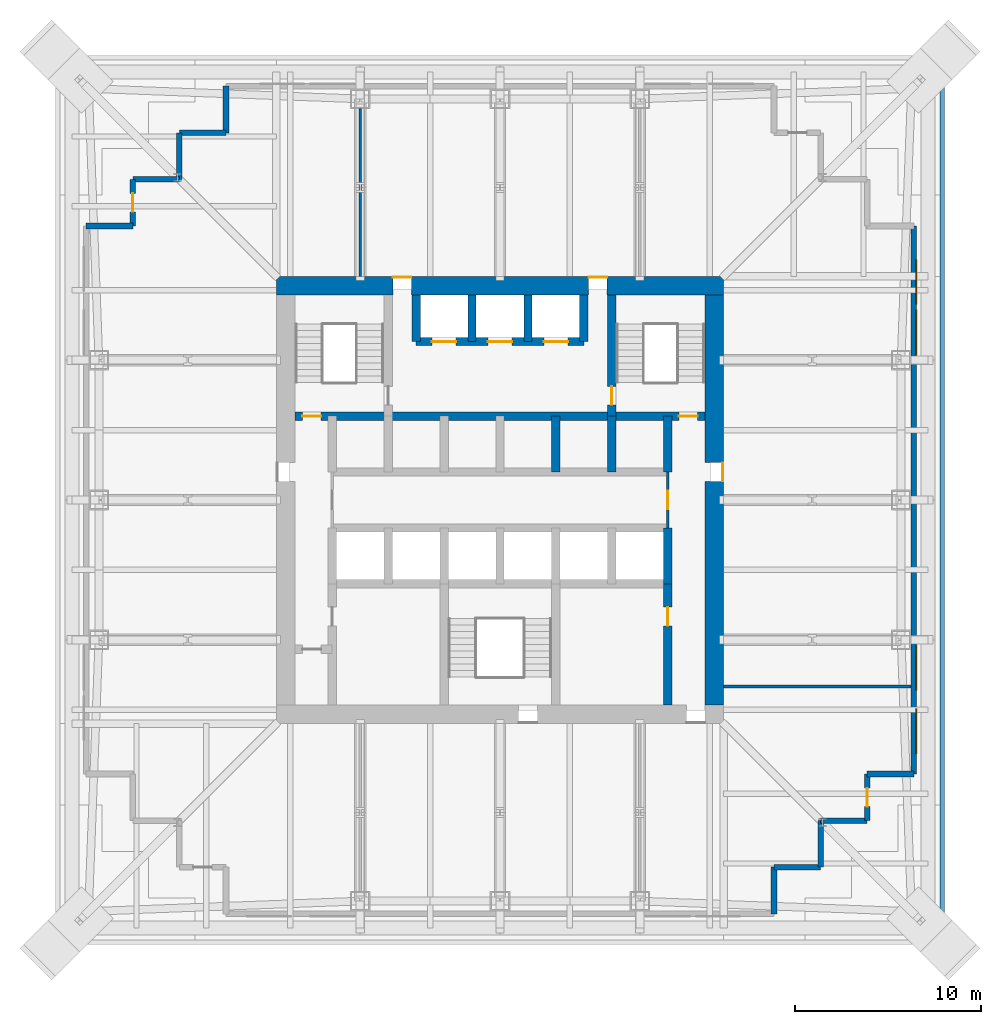
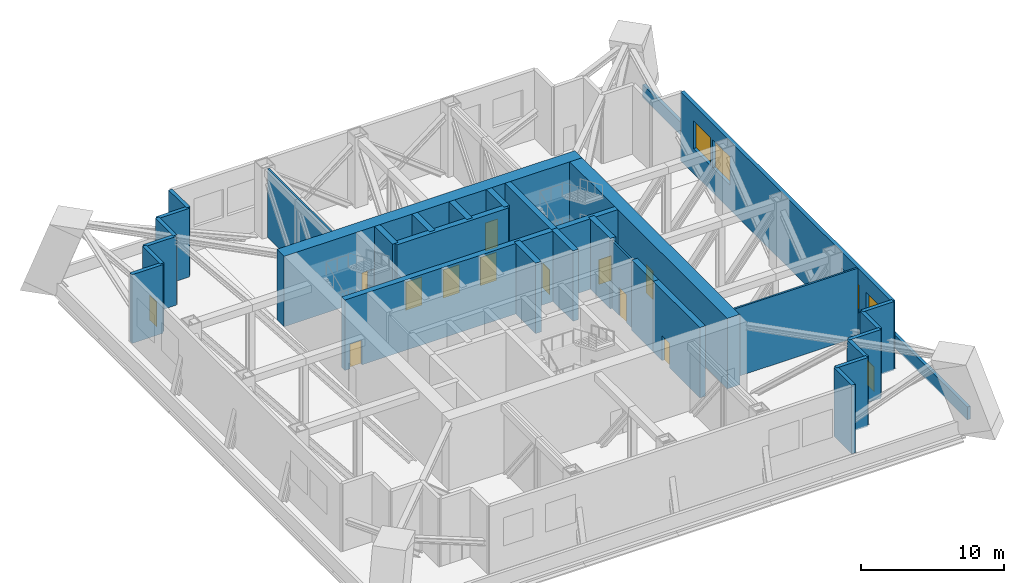
# One storey, part 6 of 8: 31 walls, 13 doors, 4 windows, 17 openings.
"""IFC4 building model written with IfcOpenShell, lengths in metres."""

from ifc_helpers import new_model, si_unit, direction, frame, frame_2d, origin, place, context, subcontext, project, spatial, rectangle, extrude, material, layer, layer_set, type_object, element, fill, save


model = new_model("IFC4")

# Units and contexts
model_context = context("Model", 3, precision=1e-05, world=origin(), true_north=direction((0.0, 1.0)))
body_context = subcontext(model_context, "Body", "Model", "MODEL_VIEW")
ifc_project = project(units=[si_unit("LENGTHUNIT", "METRE"), si_unit("AREAUNIT", "SQUARE_METRE"), si_unit("VOLUMEUNIT", "CUBIC_METRE"), si_unit("PLANEANGLEUNIT", "RADIAN"), si_unit("MASSUNIT", "GRAM", prefix="KILO")], contexts=[model_context])

# Site, building, storey
site_placement = place(None, origin())
site = spatial("IfcSite", under=ifc_project, at=site_placement, CompositionType="ELEMENT")
building_placement = place(site_placement, origin())
building = spatial("IfcBuilding", under=site, at=building_placement, Name="Tarangal Relay Tower", CompositionType="ELEMENT")
storey_placement = place(building_placement, frame((0.0, 0.0, 171.89990234375)))
storey = spatial("IfcBuildingStorey", under=building, at=storey_placement, Name="L35", CompositionType="ELEMENT", Elevation=171.89990234375)

# Wall, openings, doors
ifc_material_1 = material(Name="Concrete fc' 60 MPa", Category="concrete")
ifc_layer_1 = layer(ifc_material_1, 0.449951171875)
ifc_layer_set_1 = layer_set([ifc_layer_1], Name="Core inner wall 450")
wall_type_1 = type_object("IfcWallType", Name="Core inner wall 450", PredefinedType="SHEAR", material=ifc_layer_set_1)
wall_1_placement = place(storey_placement, frame((-11.0, 4.5, 0.0), z_axis=(0.0, 0.0, 1.0), x_axis=(1.0, 0.0, 0.0)))
wall_1 = element("IfcWall", 1, at=wall_1_placement, inside=storey, type_object=wall_type_1, Name="Core wall Y45 L35", PredefinedType="SHEAR", context=body_context, shape_type="SweptSolid", body=[
    extrude(rectangle(XDim=22.0, YDim=0.449951171875, at=frame_2d((11.0, 0.0))), origin(), (0.0, 0.0, 1.0), 6.0),
])
opening_1_placement = place(wall_1_placement, frame((0.39990234375, 0.0, 0.0)))
opening_1 = element("IfcOpeningElement", 2, at=opening_1_placement, cuts=wall_1, Name="Opening FD1", PredefinedType="OPENING", context=body_context, shape_type="SweptSolid", body=[
    extrude(rectangle(XDim=1.0, YDim=2.10009765625, at=frame_2d((0.5, 1.050048828125))), frame((0.0, 0.23486328125, 0.0), z_axis=(0.0, -1.0, 0.0), x_axis=(1.0, 0.0, 0.0)), (0.0, 0.0, 1.0), 0.469970703125),
])
opening_2_placement = place(wall_1_placement, frame((20.60009765625, 0.0, 0.0)))
opening_2 = element("IfcOpeningElement", 3, at=opening_2_placement, cuts=wall_1, Name="Opening FD1", PredefinedType="OPENING", context=body_context, shape_type="SweptSolid", body=[
    extrude(rectangle(XDim=1.0, YDim=2.10009765625, at=frame_2d((0.5, 1.050048828125))), frame((0.0, 0.23486328125, 0.0), z_axis=(0.0, -1.0, 0.0), x_axis=(1.0, 0.0, 0.0)), (0.0, 0.0, 1.0), 0.469970703125),
])
ifc_material_2 = material(Name="Steel door with hardwood frame", Category="steel")
door_type_1 = type_object("IfcDoorType", Name="Fire door 1000 x 2100", OperationType="SINGLE_SWING_LEFT", PredefinedType="DOOR", material=ifc_material_2)
door_1_placement = place(opening_1_placement, origin())
door_1 = element("IfcDoor", 4, at=door_1_placement, inside=storey, type_object=door_type_1, Name="Stair ST-A door from corridor L35", OperationType="SINGLE_SWING_LEFT", OverallHeight=2.10009765625, OverallWidth=1.0, PredefinedType="DOOR", context=body_context, shape_type="SweptSolid", body=[
    extrude(rectangle(XDim=1.0, YDim=2.10009765625, at=frame_2d((0.5, 1.050048828125))), frame((0.0, 0.02490234375, 0.0), z_axis=(0.0, -1.0, 0.0), x_axis=(1.0, 0.0, 0.0)), (0.0, 0.0, 1.0), 0.050048828125),
])
fill(opening_1, door_1)
door_2_placement = place(opening_2_placement, origin())
door_2 = element("IfcDoor", 5, at=door_2_placement, inside=storey, type_object=door_type_1, Name="Stair ST-B door from corridor L35", OperationType="SINGLE_SWING_LEFT", OverallHeight=2.10009765625, OverallWidth=1.0, PredefinedType="DOOR", context=body_context, shape_type="SweptSolid", body=[
    extrude(rectangle(XDim=1.0, YDim=2.10009765625, at=frame_2d((0.5, 1.050048828125))), frame((0.0, 0.02490234375, 0.0), z_axis=(0.0, -1.0, 0.0), x_axis=(1.0, 0.0, 0.0)), (0.0, 0.0, 1.0), 0.050048828125),
])
fill(opening_2, door_2)

wall_2_placement = place(storey_placement, frame((-4.5, 8.5, 0.0), z_axis=(0.0, 0.0, 1.0), x_axis=(1.0, 0.0, 0.0)))
wall_2 = element("IfcWall", 6, at=wall_2_placement, inside=storey, type_object=wall_type_1, Name="Core wall Y85 L35", PredefinedType="SHEAR", context=body_context, shape_type="SweptSolid", body=[
    extrude(rectangle(XDim=9.0, YDim=0.449951171875, at=frame_2d((4.5, 0.0))), origin(), (0.0, 0.0, 1.0), 6.0),
])
opening_3_placement = place(wall_2_placement, frame((0.85009765625, 0.0, 0.0)))
opening_3 = element("IfcOpeningElement", 7, at=opening_3_placement, cuts=wall_2, Name="Opening LD2", PredefinedType="OPENING", context=body_context, shape_type="SweptSolid", body=[
    extrude(rectangle(XDim=1.300048828125, YDim=2.39990234375, at=frame_2d((0.64990234375, 1.199951171875))), frame((0.0, 0.23486328125, 0.0), z_axis=(0.0, -1.0, 0.0), x_axis=(1.0, 0.0, 0.0)), (0.0, 0.0, 1.0), 0.469970703125),
])
opening_4_placement = place(wall_2_placement, frame((6.85009765625, 0.0, 0.0)))
opening_4 = element("IfcOpeningElement", 8, at=opening_4_placement, cuts=wall_2, Name="Opening LD2", PredefinedType="OPENING", context=body_context, shape_type="SweptSolid", body=[
    extrude(rectangle(XDim=1.300048828125, YDim=2.39990234375, at=frame_2d((0.64990234375, 1.199951171875))), frame((0.0, 0.23486328125, 0.0), z_axis=(0.0, -1.0, 0.0), x_axis=(1.0, 0.0, 0.0)), (0.0, 0.0, 1.0), 0.469970703125),
])
opening_5_placement = place(wall_2_placement, frame((3.85009765625, 0.0, 0.0)))
opening_5 = element("IfcOpeningElement", 9, at=opening_5_placement, cuts=wall_2, Name="Opening LD2", PredefinedType="OPENING", context=body_context, shape_type="SweptSolid", body=[
    extrude(rectangle(XDim=1.300048828125, YDim=2.39990234375, at=frame_2d((0.64990234375, 1.199951171875))), frame((0.0, 0.23486328125, 0.0), z_axis=(0.0, -1.0, 0.0), x_axis=(1.0, 0.0, 0.0)), (0.0, 0.0, 1.0), 0.469970703125),
])
door_type_2 = type_object("IfcDoorType", Name="Lift landing door 1300 x 2400", OperationType="SLIDING_TO_LEFT", PredefinedType="DOOR", material=ifc_material_2)
door_3_placement = place(opening_3_placement, origin())
door_3 = element("IfcDoor", 10, at=door_3_placement, inside=storey, type_object=door_type_2, Name="Lift FF1 landing door L35", OperationType="SLIDING_TO_LEFT", OverallHeight=2.39990234375, OverallWidth=1.300048828125, PredefinedType="DOOR", context=body_context, shape_type="SweptSolid", body=[
    extrude(rectangle(XDim=1.300048828125, YDim=2.39990234375, at=frame_2d((0.64990234375, 1.199951171875))), frame((0.0, 0.02490234375, 0.0), z_axis=(0.0, -1.0, 0.0), x_axis=(1.0, 0.0, 0.0)), (0.0, 0.0, 1.0), 0.050048828125),
])
fill(opening_3, door_3)
door_4_placement = place(opening_4_placement, origin())
door_4 = element("IfcDoor", 11, at=door_4_placement, inside=storey, type_object=door_type_2, Name="Lift FF2 landing door L35", OperationType="SLIDING_TO_LEFT", OverallHeight=2.39990234375, OverallWidth=1.300048828125, PredefinedType="DOOR", context=body_context, shape_type="SweptSolid", body=[
    extrude(rectangle(XDim=1.300048828125, YDim=2.39990234375, at=frame_2d((0.64990234375, 1.199951171875))), frame((0.0, 0.02490234375, 0.0), z_axis=(0.0, -1.0, 0.0), x_axis=(1.0, 0.0, 0.0)), (0.0, 0.0, 1.0), 0.050048828125),
])
fill(opening_4, door_4)
door_5_placement = place(opening_5_placement, origin())
door_5 = element("IfcDoor", 12, at=door_5_placement, inside=storey, type_object=door_type_2, Name="Lift SV1 landing door L35", OperationType="SLIDING_TO_LEFT", OverallHeight=2.39990234375, OverallWidth=1.300048828125, PredefinedType="DOOR", context=body_context, shape_type="SweptSolid", body=[
    extrude(rectangle(XDim=1.300048828125, YDim=2.39990234375, at=frame_2d((0.64990234375, 1.199951171875))), frame((0.0, 0.02490234375, 0.0), z_axis=(0.0, -1.0, 0.0), x_axis=(1.0, 0.0, 0.0)), (0.0, 0.0, 1.0), 0.050048828125),
])
fill(opening_5, door_5)

# Walls
for number, where, z_axis, x_axis, name in (
    (13, (9.0, 1.5, 0.0), (0.0, 0.0, 1.0), (0.0, 1.0, 0.0), "Core wall X9N L35"),
    (14, (9.0, -4.5, 0.0), (0.0, 0.0, 1.0), (0.0, 1.0, 0.0), "Core wall X9S L35"),
    (15, (3.0, 1.5, 0.0), (0.0, 0.0, 1.0), (0.0, 1.0, 0.0), "Core wall X3N L35"),
    (16, (6.0, 1.5, 0.0), (0.0, 0.0, 1.0), (0.0, 1.0, 0.0), "Core wall X6N L35"),
):
    element("IfcWall", number, at=place(storey_placement, frame(where, z_axis=z_axis, x_axis=x_axis)), inside=storey, type_object=wall_type_1, Name=name, PredefinedType="SHEAR", context=body_context, shape_type="SweptSolid", body=[
        extrude(rectangle(XDim=3.0, YDim=0.449951171875, at=frame_2d((1.5, 0.0))), origin(), (0.0, 0.0, 1.0), 6.0),
    ])

# Wall, opening, door
wall_3_placement = place(storey_placement, frame((6.0, 4.5, 0.0), z_axis=(0.0, 0.0, 1.0), x_axis=(0.0, 1.0, 0.0)))
wall_3 = element("IfcWall", 17, at=wall_3_placement, inside=storey, type_object=wall_type_1, Name="Core wall X6 L35", PredefinedType="SHEAR", context=body_context, shape_type="SweptSolid", body=[
    extrude(rectangle(XDim=6.5, YDim=0.449951171875, at=frame_2d((3.25, 0.0))), origin(), (0.0, 0.0, 1.0), 6.0),
])
opening_6_placement = place(wall_3_placement, frame((0.60009765625, 0.0, 0.0)))
opening_6 = element("IfcOpeningElement", 18, at=opening_6_placement, cuts=wall_3, Name="Opening FD1", PredefinedType="OPENING", context=body_context, shape_type="SweptSolid", body=[
    extrude(rectangle(XDim=1.0, YDim=2.10009765625, at=frame_2d((0.5, 1.050048828125))), frame((0.0, 0.23486328125, 0.0), z_axis=(0.0, -1.0, 0.0), x_axis=(1.0, 0.0, 0.0)), (0.0, 0.0, 1.0), 0.469970703125),
])
door_6_placement = place(opening_6_placement, origin())
door_6 = element("IfcDoor", 19, at=door_6_placement, inside=storey, type_object=door_type_1, Name="Stair ST-B door from fire-fighting lobby L35", OperationType="SINGLE_SWING_LEFT", OverallHeight=2.10009765625, OverallWidth=1.0, PredefinedType="DOOR", context=body_context, shape_type="SweptSolid", body=[
    extrude(rectangle(XDim=1.0, YDim=2.10009765625, at=frame_2d((0.5, 1.050048828125))), frame((0.0, 0.02490234375, 0.0), z_axis=(0.0, -1.0, 0.0), x_axis=(1.0, 0.0, 0.0)), (0.0, 0.0, 1.0), 0.050048828125),
])
fill(opening_6, door_6)

# Walls
for number, where, z_axis, x_axis, name in (
    (20, (-4.5, 8.5, 0.0), (0.0, 0.0, 1.0), (0.0, 1.0, 0.0), "Core wall XM45 L35"),
    (21, (4.5, 8.5, 0.0), (0.0, 0.0, 1.0), (0.0, 1.0, 0.0), "Core wall X45 L35"),
    (22, (-1.5, 8.5, 0.0), (0.0, 0.0, 1.0), (0.0, 1.0, 0.0), "Core wall XM15 L35"),
    (23, (1.5, 8.5, 0.0), (0.0, 0.0, 1.0), (0.0, 1.0, 0.0), "Core wall X15 L35"),
):
    element("IfcWall", number, at=place(storey_placement, frame(where, z_axis=z_axis, x_axis=x_axis)), inside=storey, type_object=wall_type_1, Name=name, PredefinedType="SHEAR", context=body_context, shape_type="SweptSolid", body=[
        extrude(rectangle(XDim=2.5, YDim=0.449951171875, at=frame_2d((1.25, 0.0))), origin(), (0.0, 0.0, 1.0), 6.0),
    ])

# Wall, opening, door
wall_4_placement = place(storey_placement, frame((9.0, -11.0, 0.0), z_axis=(0.0, 0.0, 1.0), x_axis=(0.0, 1.0, 0.0)))
wall_4 = element("IfcWall", 24, at=wall_4_placement, inside=storey, type_object=wall_type_1, Name="Core wall X9W L35", PredefinedType="SHEAR", context=body_context, shape_type="SweptSolid", body=[
    extrude(rectangle(XDim=6.5, YDim=0.449951171875, at=frame_2d((3.25, 0.0))), origin(), (0.0, 0.0, 1.0), 6.0),
])
opening_7_placement = place(wall_4_placement, frame((4.25, 0.0, 0.0)))
opening_7 = element("IfcOpeningElement", 25, at=opening_7_placement, cuts=wall_4, Name="Opening D1", PredefinedType="OPENING", context=body_context, shape_type="SweptSolid", body=[
    extrude(rectangle(XDim=1.0, YDim=2.10009765625, at=frame_2d((0.5, 1.050048828125))), frame((0.0, 0.23486328125, 0.0), z_axis=(0.0, -1.0, 0.0), x_axis=(1.0, 0.0, 0.0)), (0.0, 0.0, 1.0), 0.469970703125),
])
ifc_material_3 = material(Name="Hardwood door", Category="wood")
door_type_3 = type_object("IfcDoorType", Name="WC door 1000 x 2100", OperationType="SINGLE_SWING_LEFT", PredefinedType="DOOR", material=ifc_material_3)
door_7_placement = place(opening_7_placement, origin())
door_7 = element("IfcDoor", 26, at=door_7_placement, inside=storey, type_object=door_type_3, Name="Female WC door L35", OperationType="SINGLE_SWING_LEFT", OverallHeight=2.10009765625, OverallWidth=1.0, PredefinedType="DOOR", context=body_context, shape_type="SweptSolid", body=[
    extrude(rectangle(XDim=1.0, YDim=2.10009765625, at=frame_2d((0.5, 1.050048828125))), frame((0.0, 0.02490234375, 0.0), z_axis=(0.0, -1.0, 0.0), x_axis=(1.0, 0.0, 0.0)), (0.0, 0.0, 1.0), 0.050048828125),
])
fill(opening_7, door_7)

# Wall, openings, doors
ifc_layer_2 = layer(ifc_material_1, 1.0)
ifc_layer_set_2 = layer_set([ifc_layer_2], Name="Core wall 1000")
wall_type_2 = type_object("IfcWallType", Name="Core wall 1000", PredefinedType="SHEAR", material=ifc_layer_set_2)
wall_5_placement = place(storey_placement, frame((-12.0, 11.5, 0.0), z_axis=(0.0, 0.0, 1.0), x_axis=(1.0, 0.0, 0.0)))
wall_5 = element("IfcWall", 27, at=wall_5_placement, inside=storey, type_object=wall_type_2, Name="Core wall N L35", PredefinedType="SHEAR", context=body_context, shape_type="SweptSolid", body=[
    extrude(rectangle(XDim=24.0, YDim=1.0, at=frame_2d((12.0, 0.0))), origin(), (0.0, 0.0, 1.0), 6.0),
])
opening_8_placement = place(wall_5_placement, frame((6.25, 0.0, 0.0)))
opening_8 = element("IfcOpeningElement", 28, at=opening_8_placement, cuts=wall_5, Name="Opening FD3", PredefinedType="OPENING", context=body_context, shape_type="SweptSolid", body=[
    extrude(rectangle(XDim=1.0, YDim=2.39990234375, at=frame_2d((0.5, 1.199951171875))), frame((0.0, 0.510009765625, 0.0), z_axis=(0.0, -1.0, 0.0), x_axis=(1.0, 0.0, 0.0)), (0.0, 0.0, 1.0), 1.02001953125),
])
opening_9_placement = place(wall_5_placement, frame((16.75, 0.0, 0.0)))
opening_9 = element("IfcOpeningElement", 29, at=opening_9_placement, cuts=wall_5, Name="Opening FD3", PredefinedType="OPENING", context=body_context, shape_type="SweptSolid", body=[
    extrude(rectangle(XDim=1.0, YDim=2.39990234375, at=frame_2d((0.5, 1.199951171875))), frame((0.0, 0.510009765625, 0.0), z_axis=(0.0, -1.0, 0.0), x_axis=(1.0, 0.0, 0.0)), (0.0, 0.0, 1.0), 1.02001953125),
])
door_type_4 = type_object("IfcDoorType", Name="Fire door 1000 x 2400 core entry", OperationType="SINGLE_SWING_RIGHT", PredefinedType="DOOR", material=ifc_material_2)
door_8_placement = place(opening_8_placement, origin())
door_8 = element("IfcDoor", 30, at=door_8_placement, inside=storey, type_object=door_type_4, Name="Core entry door north west L35", OperationType="SINGLE_SWING_RIGHT", OverallHeight=2.39990234375, OverallWidth=1.0, PredefinedType="DOOR", context=body_context, shape_type="SweptSolid", body=[
    extrude(rectangle(XDim=1.0, YDim=2.39990234375, at=frame_2d((0.5, 1.199951171875))), frame((0.0, 0.48486328125, 0.0), z_axis=(0.0, -1.0, 0.0), x_axis=(1.0, 0.0, 0.0)), (0.0, 0.0, 1.0), 0.050048828125),
])
fill(opening_8, door_8)
door_9_placement = place(opening_9_placement, origin())
door_9 = element("IfcDoor", 31, at=door_9_placement, inside=storey, type_object=door_type_4, Name="Core entry door north east L35", OperationType="SINGLE_SWING_RIGHT", OverallHeight=2.39990234375, OverallWidth=1.0, PredefinedType="DOOR", context=body_context, shape_type="SweptSolid", body=[
    extrude(rectangle(XDim=1.0, YDim=2.39990234375, at=frame_2d((0.5, 1.199951171875))), frame((0.0, 0.48486328125, 0.0), z_axis=(0.0, -1.0, 0.0), x_axis=(1.0, 0.0, 0.0)), (0.0, 0.0, 1.0), 0.050048828125),
])
fill(opening_9, door_9)

# Wall, opening, door
wall_6_placement = place(storey_placement, frame((11.5, 11.0, 0.0), z_axis=(0.0, 0.0, 1.0), x_axis=(0.0, -1.0, 0.0)))
wall_6 = element("IfcWall", 32, at=wall_6_placement, inside=storey, type_object=wall_type_2, Name="Core wall E L35", PredefinedType="SHEAR", context=body_context, shape_type="SweptSolid", body=[
    extrude(rectangle(XDim=22.0, YDim=1.0, at=frame_2d((11.0, 0.0))), origin(), (0.0, 0.0, 1.0), 6.0),
])
opening_10_placement = place(wall_6_placement, frame((9.0, 0.0, 0.0)))
opening_10 = element("IfcOpeningElement", 33, at=opening_10_placement, cuts=wall_6, Name="Opening FD3", PredefinedType="OPENING", context=body_context, shape_type="SweptSolid", body=[
    extrude(rectangle(XDim=1.0, YDim=2.39990234375, at=frame_2d((0.5, 1.199951171875))), frame((0.0, 0.510009765625, 0.0), z_axis=(0.0, -1.0, 0.0), x_axis=(1.0, 0.0, 0.0)), (0.0, 0.0, 1.0), 1.02001953125),
])
door_10_placement = place(opening_10_placement, origin())
door_10 = element("IfcDoor", 34, at=door_10_placement, inside=storey, type_object=door_type_4, Name="Core entry door east L35", OperationType="SINGLE_SWING_RIGHT", OverallHeight=2.39990234375, OverallWidth=1.0, PredefinedType="DOOR", context=body_context, shape_type="SweptSolid", body=[
    extrude(rectangle(XDim=1.0, YDim=2.39990234375, at=frame_2d((0.5, 1.199951171875))), frame((0.0, 0.48486328125, 0.0), z_axis=(0.0, -1.0, 0.0), x_axis=(1.0, 0.0, 0.0)), (0.0, 0.0, 1.0), 0.050048828125),
])
fill(opening_10, door_10)

# Wall, openings, windows
ifc_material_4 = material(Name="Insulated precast concrete fc' 40 MPa", Category="concrete")
ifc_layer_3 = layer(ifc_material_4, 0.300048828125)
ifc_layer_set_3 = layer_set([ifc_layer_3], Name="Insulated precast concrete fc' 40 MPa")
wall_type_3 = type_object("IfcWallType", Name="Facade wall precast 300", PredefinedType="SOLIDWALL", material=ifc_layer_set_3)
wall_7_placement = place(storey_placement, frame((22.199951171875, 14.699951171875, 0.0), z_axis=(0.0, 0.0, 1.0), x_axis=(0.0, -1.0, 0.0)))
wall_7 = element("IfcWall", 35, at=wall_7_placement, inside=storey, type_object=wall_type_3, Name="Facade wall E facade L35", PredefinedType="SOLIDWALL", context=body_context, shape_type="SweptSolid", body=[
    extrude(rectangle(XDim=29.39990234375, YDim=0.300048828125, at=frame_2d((14.699951171875, 0.0))), origin(), (0.0, 0.0, 1.0), 5.85009765625),
])
opening_11_placement = place(wall_7_placement, frame((1.800048828125, 0.0, 2.10009765625)))
opening_11 = element("IfcOpeningElement", 36, at=opening_11_placement, cuts=wall_7, Name="Opening LV1", PredefinedType="OPENING", context=body_context, shape_type="SweptSolid", body=[
    extrude(rectangle(XDim=2.39990234375, YDim=2.39990234375, at=frame_2d((1.199951171875, 1.199951171875))), frame((0.0, 0.159912109375, 0.0), z_axis=(0.0, -1.0, 0.0), x_axis=(1.0, 0.0, 0.0)), (0.0, 0.0, 1.0), 0.320068359375),
])
opening_12_placement = place(wall_7_placement, frame((4.5, 0.0, 2.10009765625)))
opening_12 = element("IfcOpeningElement", 37, at=opening_12_placement, cuts=wall_7, Name="Opening LV1", PredefinedType="OPENING", context=body_context, shape_type="SweptSolid", body=[
    extrude(rectangle(XDim=2.39990234375, YDim=2.39990234375, at=frame_2d((1.199951171875, 1.199951171875))), frame((0.0, 0.159912109375, 0.0), z_axis=(0.0, -1.0, 0.0), x_axis=(1.0, 0.0, 0.0)), (0.0, 0.0, 1.0), 0.320068359375),
])
opening_13_placement = place(wall_7_placement, frame((22.5, 0.0, 2.10009765625)))
opening_13 = element("IfcOpeningElement", 38, at=opening_13_placement, cuts=wall_7, Name="Opening LV1", PredefinedType="OPENING", context=body_context, shape_type="SweptSolid", body=[
    extrude(rectangle(XDim=2.39990234375, YDim=2.39990234375, at=frame_2d((1.199951171875, 1.199951171875))), frame((0.0, 0.159912109375, 0.0), z_axis=(0.0, -1.0, 0.0), x_axis=(1.0, 0.0, 0.0)), (0.0, 0.0, 1.0), 0.320068359375),
])
opening_14_placement = place(wall_7_placement, frame((25.89990234375, 0.0, 2.10009765625)))
opening_14 = element("IfcOpeningElement", 39, at=opening_14_placement, cuts=wall_7, Name="Opening LV1", PredefinedType="OPENING", context=body_context, shape_type="SweptSolid", body=[
    extrude(rectangle(XDim=2.39990234375, YDim=2.39990234375, at=frame_2d((1.199951171875, 1.199951171875))), frame((0.0, 0.159912109375, 0.0), z_axis=(0.0, -1.0, 0.0), x_axis=(1.0, 0.0, 0.0)), (0.0, 0.0, 1.0), 0.320068359375),
])
ifc_material_5 = material(Name="Black aluminium weather louvre", Category="aluminium")
window_type = type_object("IfcWindowType", Name="Louvre 2400 x 2400", PartitioningType="SINGLE_PANEL", PredefinedType="WINDOW", material=ifc_material_5)
window_1_placement = place(opening_11_placement, origin())
window_1 = element("IfcWindow", 40, at=window_1_placement, inside=storey, type_object=window_type, Name="Louvre LV1 E facade L35", OverallHeight=2.39990234375, OverallWidth=2.39990234375, PartitioningType="SINGLE_PANEL", PredefinedType="WINDOW", context=body_context, shape_type="SweptSolid", body=[
    extrude(rectangle(XDim=2.39990234375, YDim=2.39990234375, at=frame_2d((1.199951171875, 1.199951171875))), frame((0.0, 0.150146484375, 0.0), z_axis=(0.0, -1.0, 0.0), x_axis=(1.0, 0.0, 0.0)), (0.0, 0.0, 1.0), 0.06005859375),
])
fill(opening_11, window_1)
window_2_placement = place(opening_12_placement, origin())
window_2 = element("IfcWindow", 41, at=window_2_placement, inside=storey, type_object=window_type, Name="Louvre LV1 E facade L35", OverallHeight=2.39990234375, OverallWidth=2.39990234375, PartitioningType="SINGLE_PANEL", PredefinedType="WINDOW", context=body_context, shape_type="SweptSolid", body=[
    extrude(rectangle(XDim=2.39990234375, YDim=2.39990234375, at=frame_2d((1.199951171875, 1.199951171875))), frame((0.0, 0.150146484375, 0.0), z_axis=(0.0, -1.0, 0.0), x_axis=(1.0, 0.0, 0.0)), (0.0, 0.0, 1.0), 0.06005859375),
])
fill(opening_12, window_2)
window_3_placement = place(opening_13_placement, origin())
window_3 = element("IfcWindow", 42, at=window_3_placement, inside=storey, type_object=window_type, Name="Louvre LV1 E facade L35", OverallHeight=2.39990234375, OverallWidth=2.39990234375, PartitioningType="SINGLE_PANEL", PredefinedType="WINDOW", context=body_context, shape_type="SweptSolid", body=[
    extrude(rectangle(XDim=2.39990234375, YDim=2.39990234375, at=frame_2d((1.199951171875, 1.199951171875))), frame((0.0, 0.150146484375, 0.0), z_axis=(0.0, -1.0, 0.0), x_axis=(1.0, 0.0, 0.0)), (0.0, 0.0, 1.0), 0.06005859375),
])
fill(opening_13, window_3)
window_4_placement = place(opening_14_placement, origin())
window_4 = element("IfcWindow", 43, at=window_4_placement, inside=storey, type_object=window_type, Name="Louvre LV1 E facade L35", OverallHeight=2.39990234375, OverallWidth=2.39990234375, PartitioningType="SINGLE_PANEL", PredefinedType="WINDOW", context=body_context, shape_type="SweptSolid", body=[
    extrude(rectangle(XDim=2.39990234375, YDim=2.39990234375, at=frame_2d((1.199951171875, 1.199951171875))), frame((0.0, 0.150146484375, 0.0), z_axis=(0.0, -1.0, 0.0), x_axis=(1.0, 0.0, 0.0)), (0.0, 0.0, 1.0), 0.06005859375),
])
fill(opening_14, window_4)

# Wall
wall_8_placement = place(storey_placement, frame((22.199951171875, -14.699951171875, 0.0), z_axis=(0.0, 0.0, 1.0), x_axis=(-1.0, 0.0, 0.0)))
element("IfcWall", 44, at=wall_8_placement, inside=storey, type_object=wall_type_3, Name="Facade wall E facade L35", PredefinedType="SOLIDWALL", context=body_context, shape_type="SweptSolid", body=[
    extrude(rectangle(XDim=2.5, YDim=0.300048828125, at=frame_2d((1.25, 0.0))), origin(), (0.0, 0.0, 1.0), 5.85009765625),
])

# Wall, opening, door
wall_9_placement = place(storey_placement, frame((19.699951171875, -14.699951171875, 0.0), z_axis=(0.0, 0.0, 1.0), x_axis=(0.0, -1.0, 0.0)))
wall_9 = element("IfcWall", 45, at=wall_9_placement, inside=storey, type_object=wall_type_3, Name="Facade wall E facade L35", PredefinedType="SOLIDWALL", context=body_context, shape_type="SweptSolid", body=[
    extrude(rectangle(XDim=2.5, YDim=0.300048828125, at=frame_2d((1.25, 0.0))), origin(), (0.0, 0.0, 1.0), 5.85009765625),
])
opening_15_placement = place(wall_9_placement, frame((0.75, 0.0, 0.0)))
opening_15 = element("IfcOpeningElement", 46, at=opening_15_placement, cuts=wall_9, Name="Opening MD1", PredefinedType="OPENING", context=body_context, shape_type="SweptSolid", body=[
    extrude(rectangle(XDim=1.0, YDim=2.10009765625, at=frame_2d((0.5, 1.050048828125))), frame((0.0, 0.159912109375, 0.0), z_axis=(0.0, -1.0, 0.0), x_axis=(1.0, 0.0, 0.0)), (0.0, 0.0, 1.0), 0.320068359375),
])
door_type_5 = type_object("IfcDoorType", Name="Maintenance access door 1000 x 2100", OperationType="SINGLE_SWING_RIGHT", PredefinedType="DOOR", material=ifc_material_2)
door_11_placement = place(opening_15_placement, origin())
door_11 = element("IfcDoor", 47, at=door_11_placement, inside=storey, type_object=door_type_5, Name="Maintenance access door MD1 SE L35", OperationType="SINGLE_SWING_RIGHT", OverallHeight=2.10009765625, OverallWidth=1.0, PredefinedType="DOOR", context=body_context, shape_type="SweptSolid", body=[
    extrude(rectangle(XDim=1.0, YDim=2.10009765625, at=frame_2d((0.5, 1.050048828125))), frame((0.0, 0.02490234375, 0.0), z_axis=(0.0, -1.0, 0.0), x_axis=(1.0, 0.0, 0.0)), (0.0, 0.0, 1.0), 0.050048828125),
])
fill(opening_15, door_11)

# Walls
for number, where, z_axis, x_axis, name in (
    (48, (19.699951171875, -17.199951171875, 0.0), (0.0, 0.0, 1.0), (-1.0, 0.0, 0.0), "Facade wall E facade L35"),
    (49, (17.199951171875, -17.199951171875, 0.0), (0.0, 0.0, 1.0), (0.0, -1.0, 0.0), "Facade wall E facade L35"),
    (50, (17.199951171875, -19.699951171875, 0.0), (0.0, 0.0, 1.0), (-1.0, 0.0, 0.0), "Facade wall E facade L35"),
    (51, (14.699951171875, -19.699951171875, 0.0), (0.0, 0.0, 1.0), (0.0, -1.0, 0.0), "Facade wall E facade L35"),
    (52, (-22.199951171875, 14.699951171875, 0.0), (0.0, 0.0, 1.0), (1.0, 0.0, 0.0), "Facade wall W facade L35"),
):
    element("IfcWall", number, at=place(storey_placement, frame(where, z_axis=z_axis, x_axis=x_axis)), inside=storey, type_object=wall_type_3, Name=name, PredefinedType="SOLIDWALL", context=body_context, shape_type="SweptSolid", body=[
        extrude(rectangle(XDim=2.5, YDim=0.300048828125, at=frame_2d((1.25, 0.0))), origin(), (0.0, 0.0, 1.0), 5.85009765625),
    ])

# Wall, opening, door
wall_10_placement = place(storey_placement, frame((-19.699951171875, 14.699951171875, 0.0), z_axis=(0.0, 0.0, 1.0), x_axis=(0.0, 1.0, 0.0)))
wall_10 = element("IfcWall", 53, at=wall_10_placement, inside=storey, type_object=wall_type_3, Name="Facade wall W facade L35", PredefinedType="SOLIDWALL", context=body_context, shape_type="SweptSolid", body=[
    extrude(rectangle(XDim=2.5, YDim=0.300048828125, at=frame_2d((1.25, 0.0))), origin(), (0.0, 0.0, 1.0), 5.85009765625),
])
opening_16_placement = place(wall_10_placement, frame((0.75, 0.0, 0.0)))
opening_16 = element("IfcOpeningElement", 54, at=opening_16_placement, cuts=wall_10, Name="Opening MD1", PredefinedType="OPENING", context=body_context, shape_type="SweptSolid", body=[
    extrude(rectangle(XDim=1.0, YDim=2.10009765625, at=frame_2d((0.5, 1.050048828125))), frame((0.0, 0.159912109375, 0.0), z_axis=(0.0, -1.0, 0.0), x_axis=(1.0, 0.0, 0.0)), (0.0, 0.0, 1.0), 0.320068359375),
])
door_12_placement = place(opening_16_placement, origin())
door_12 = element("IfcDoor", 55, at=door_12_placement, inside=storey, type_object=door_type_5, Name="Maintenance access door MD1 NW L35", OperationType="SINGLE_SWING_RIGHT", OverallHeight=2.10009765625, OverallWidth=1.0, PredefinedType="DOOR", context=body_context, shape_type="SweptSolid", body=[
    extrude(rectangle(XDim=1.0, YDim=2.10009765625, at=frame_2d((0.5, 1.050048828125))), frame((0.0, 0.02490234375, 0.0), z_axis=(0.0, -1.0, 0.0), x_axis=(1.0, 0.0, 0.0)), (0.0, 0.0, 1.0), 0.050048828125),
])
fill(opening_16, door_12)

# Walls
for number, where, z_axis, x_axis, name in (
    (56, (-19.699951171875, 17.199951171875, 0.0), (0.0, 0.0, 1.0), (1.0, 0.0, 0.0), "Facade wall W facade L35"),
    (57, (-17.199951171875, 17.199951171875, 0.0), (0.0, 0.0, 1.0), (0.0, 1.0, 0.0), "Facade wall W facade L35"),
    (58, (-17.199951171875, 19.699951171875, 0.0), (0.0, 0.0, 1.0), (1.0, 0.0, 0.0), "Facade wall W facade L35"),
    (59, (-14.699951171875, 19.699951171875, 0.0), (0.0, 0.0, 1.0), (0.0, 1.0, 0.0), "Facade wall W facade L35"),
):
    element("IfcWall", number, at=place(storey_placement, frame(where, z_axis=z_axis, x_axis=x_axis)), inside=storey, type_object=wall_type_3, Name=name, PredefinedType="SOLIDWALL", context=body_context, shape_type="SweptSolid", body=[
        extrude(rectangle(XDim=2.5, YDim=0.300048828125, at=frame_2d((1.25, 0.0))), origin(), (0.0, 0.0, 1.0), 5.85009765625),
    ])
ifc_material_6 = material(Name="Concrete parapet with metal coping", Category="concrete")
ifc_layer_4 = layer(ifc_material_6, 0.25)
ifc_layer_set_4 = layer_set([ifc_layer_4], Name="Parapet 250")
wall_type_4 = type_object("IfcWallType", Name="Parapet 250", PredefinedType="PARAPET", material=ifc_layer_set_4)
wall_11_placement = place(storey_placement, frame((23.72509765625, 22.64990234375, 0.0), z_axis=(0.0, 0.0, 1.0), x_axis=(0.0, -1.0, 0.0)))
element("IfcWall", 60, at=wall_11_placement, inside=storey, type_object=wall_type_4, Name="Ledge parapet PP1 L35", PredefinedType="PARAPET", context=body_context, shape_type="SweptSolid", body=[
    extrude(rectangle(XDim=45.2998046875, YDim=0.25, at=frame_2d((22.64990234375, 0.0))), origin(), (0.0, 0.0, 1.0), 1.10009765625),
])
ifc_material_7 = material(Name="Gypsum board on steel studs", Category="steel")
ifc_layer_5 = layer(ifc_material_7, 0.14990234375)
ifc_layer_set_5 = layer_set([ifc_layer_5], Name="Partition 150")
wall_type_5 = type_object("IfcWallType", Name="Partition 150", PredefinedType="PARTITIONING", material=ifc_layer_set_5)
wall_12_placement = place(storey_placement, frame((-7.5, 12.0, 0.0), z_axis=(0.0, 0.0, 1.0), x_axis=(0.0, 1.0, 0.0)))
element("IfcWall", 61, at=wall_12_placement, inside=storey, type_object=wall_type_5, Name="Partition PT1 L35", PredefinedType="PARTITIONING", context=body_context, shape_type="SweptSolid", body=[
    extrude(rectangle(XDim=8.989990234375, YDim=0.14990234375, at=frame_2d((4.4951171875, 0.0))), origin(), (0.0, 0.0, 1.0), 5.85009765625),
])
wall_13_placement = place(storey_placement, frame((12.0, -10.0, 0.0), z_axis=(0.0, 0.0, 1.0), x_axis=(1.0, 0.0, 0.0)))
element("IfcWall", 62, at=wall_13_placement, inside=storey, type_object=wall_type_5, Name="Partition PT1 L35", PredefinedType="PARTITIONING", context=body_context, shape_type="SweptSolid", body=[
    extrude(rectangle(XDim=10.050048828125, YDim=0.14990234375, at=frame_2d((5.02490234375, 0.0))), origin(), (0.0, 0.0, 1.0), 5.85009765625),
])

# Wall, opening, door
wall_14_placement = place(storey_placement, frame((9.0, -1.5, 0.0), z_axis=(0.0, 0.0, 1.0), x_axis=(0.0, 1.0, 0.0)))
wall_14 = element("IfcWall", 63, at=wall_14_placement, inside=storey, type_object=wall_type_5, Name="Partition PT1 L35", PredefinedType="PARTITIONING", context=body_context, shape_type="SweptSolid", body=[
    extrude(rectangle(XDim=3.0, YDim=0.14990234375, at=frame_2d((1.5, 0.0))), origin(), (0.0, 0.0, 1.0), 5.75),
])
opening_17_placement = place(wall_14_placement, frame((1.0, 0.0, 0.0)))
opening_17 = element("IfcOpeningElement", 64, at=opening_17_placement, cuts=wall_14, Name="Opening FD3", PredefinedType="OPENING", context=body_context, shape_type="SweptSolid", body=[
    extrude(rectangle(XDim=1.0, YDim=2.39990234375, at=frame_2d((0.5, 1.199951171875))), frame((0.0, 0.0849609375, 0.0), z_axis=(0.0, -1.0, 0.0), x_axis=(1.0, 0.0, 0.0)), (0.0, 0.0, 1.0), 0.169921875),
])
door_13_placement = place(opening_17_placement, origin())
door_13 = element("IfcDoor", 65, at=door_13_placement, inside=storey, type_object=door_type_4, Name="Lift lobby door FD3 to the east corridor L35", OperationType="SINGLE_SWING_RIGHT", OverallHeight=2.39990234375, OverallWidth=1.0, PredefinedType="DOOR", context=body_context, shape_type="SweptSolid", body=[
    extrude(rectangle(XDim=1.0, YDim=2.39990234375, at=frame_2d((0.5, 1.199951171875))), frame((0.0, 0.02490234375, 0.0), z_axis=(0.0, -1.0, 0.0), x_axis=(1.0, 0.0, 0.0)), (0.0, 0.0, 1.0), 0.050048828125),
])
fill(opening_17, door_13)

save(model, "model.ifc")
